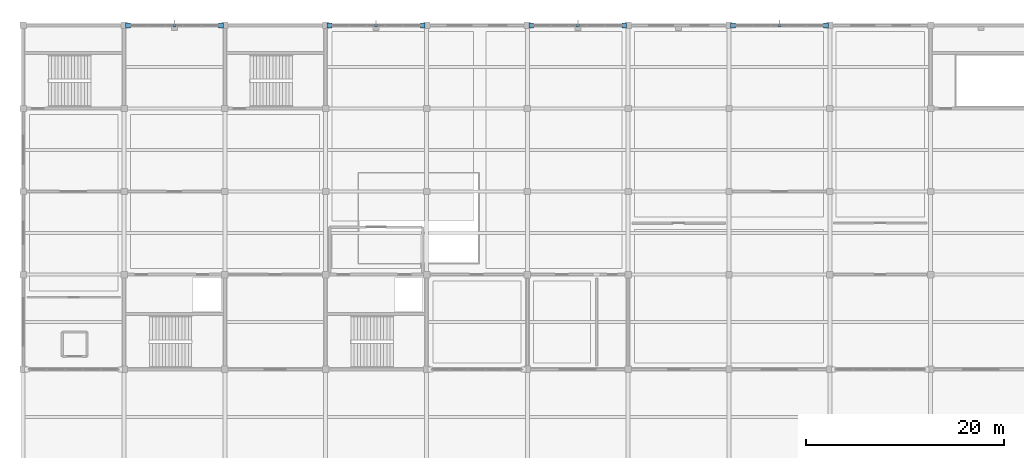
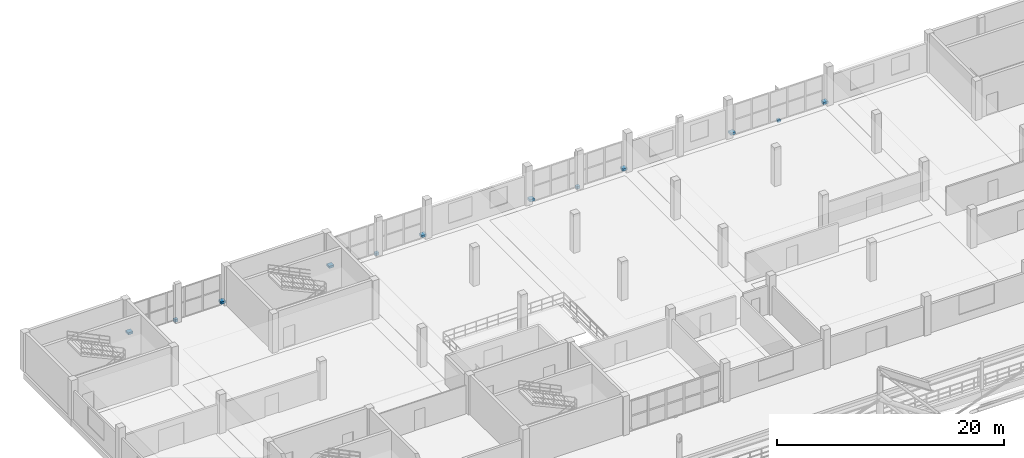
# One storey, part 129 of 135: 12 discrete accessories.
"""IFC4 building model written with IfcOpenShell, lengths in metres."""

from ifc_helpers import new_model, si_unit, direction, frame, origin, origin_2d, place, context, subcontext, project, spatial, rectangle, extrude, material, type_object, element, save


model = new_model("IFC4")

# Units and contexts
model_context = context("Model", 3, precision=1e-05, world=origin(), true_north=direction((0.0, 1.0)))
body_context = subcontext(model_context, "Body", "Model", "MODEL_VIEW")
ifc_project = project(units=[si_unit("LENGTHUNIT", "METRE"), si_unit("AREAUNIT", "SQUARE_METRE"), si_unit("VOLUMEUNIT", "CUBIC_METRE"), si_unit("PLANEANGLEUNIT", "RADIAN"), si_unit("MASSUNIT", "GRAM", prefix="KILO")], contexts=[model_context])

# Site, building, storey
site_placement = place(None, origin())
site = spatial("IfcSite", under=ifc_project, at=site_placement, CompositionType="ELEMENT")
building_placement = place(site_placement, origin())
building = spatial("IfcBuilding", under=site, at=building_placement, Name="Brelvane Convention Centre", CompositionType="ELEMENT")
storey_placement = place(building_placement, frame((0.0, 0.0, 15.0)))
storey = spatial("IfcBuildingStorey", under=building, at=storey_placement, Name="L03", CompositionType="ELEMENT", Elevation=15.0)

# Discrete accessories
ifc_material = material(Name="Steel E350 (350 MPa)", Category="steel")
discrete_accessory_type = type_object("IfcDiscreteAccessoryType", Name="Facade Outrigger Bracket BRK-02", PredefinedType="BRACKET", material=ifc_material)
for number, where, z_axis, x_axis, name in (
    (1, (10.590087890625, 144.0, 0.22998046875), (0.0, 0.0, 1.0), (1.0, 0.0, 0.0), "Curtain Wall Anchor Bracket L03-V4N-02-L"),
    (2, (20.010009765625, 144.0, 0.22998046875), (0.0, 0.0, 1.0), (1.0, 0.0, 0.0), "Curtain Wall Anchor Bracket L03-V4N-02-R"),
):
    element("IfcDiscreteAccessory", number, at=place(storey_placement, frame(where, z_axis=z_axis, x_axis=x_axis)), inside=storey, type_object=discrete_accessory_type, Name=name, PredefinedType="BRACKET", context=body_context, shape_type="SweptSolid", body=[
        extrude(rectangle(XDim=0.47998046875, YDim=0.47998046875, at=origin_2d()), origin(), (0.0, 0.0, 1.0), 0.239990234375),
    ])
discrete_accessory_1_placement = place(storey_placement, frame((15.300048828125, 144.0, -0.14013671875), z_axis=(0.0, 0.0, 1.0), x_axis=(1.0, 0.0, 0.0)))
element("IfcDiscreteAccessory", 3, at=discrete_accessory_1_placement, inside=storey, type_object=discrete_accessory_type, Name="Curtain Wall Anchor Bracket L03-V4N-02-B", PredefinedType="BRACKET", context=body_context, shape_type="SweptSolid", body=[
    extrude(rectangle(XDim=0.320068359375, YDim=0.320068359375, at=origin_2d()), origin(), (0.0, 0.0, 1.0), 0.280029296875),
])
for number, where, z_axis, x_axis, name in (
    (4, (30.989990234375, 144.0, 0.22998046875), (0.0, 0.0, 1.0), (1.0, 0.0, 0.0), "Curtain Wall Anchor Bracket L03-V4N-04-L"),
    (5, (40.409912109375, 144.0, 0.22998046875), (0.0, 0.0, 1.0), (1.0, 0.0, 0.0), "Curtain Wall Anchor Bracket L03-V4N-04-R"),
):
    element("IfcDiscreteAccessory", number, at=place(storey_placement, frame(where, z_axis=z_axis, x_axis=x_axis)), inside=storey, type_object=discrete_accessory_type, Name=name, PredefinedType="BRACKET", context=body_context, shape_type="SweptSolid", body=[
        extrude(rectangle(XDim=0.47998046875, YDim=0.47998046875, at=origin_2d()), origin(), (0.0, 0.0, 1.0), 0.239990234375),
    ])
discrete_accessory_2_placement = place(storey_placement, frame((35.699951171875, 144.0, -0.14013671875), z_axis=(0.0, 0.0, 1.0), x_axis=(1.0, 0.0, 0.0)))
element("IfcDiscreteAccessory", 6, at=discrete_accessory_2_placement, inside=storey, type_object=discrete_accessory_type, Name="Curtain Wall Anchor Bracket L03-V4N-04-B", PredefinedType="BRACKET", context=body_context, shape_type="SweptSolid", body=[
    extrude(rectangle(XDim=0.320068359375, YDim=0.320068359375, at=origin_2d()), origin(), (0.0, 0.0, 1.0), 0.280029296875),
])
for number, where, z_axis, x_axis, name in (
    (7, (51.389892578125, 144.0, 0.22998046875), (0.0, 0.0, 1.0), (1.0, 0.0, 0.0), "Curtain Wall Anchor Bracket L03-V4N-06-L"),
    (8, (60.81005859375, 144.0, 0.22998046875), (0.0, 0.0, 1.0), (1.0, 0.0, 0.0), "Curtain Wall Anchor Bracket L03-V4N-06-R"),
):
    element("IfcDiscreteAccessory", number, at=place(storey_placement, frame(where, z_axis=z_axis, x_axis=x_axis)), inside=storey, type_object=discrete_accessory_type, Name=name, PredefinedType="BRACKET", context=body_context, shape_type="SweptSolid", body=[
        extrude(rectangle(XDim=0.47998046875, YDim=0.47998046875, at=origin_2d()), origin(), (0.0, 0.0, 1.0), 0.239990234375),
    ])
discrete_accessory_3_placement = place(storey_placement, frame((56.10009765625, 144.0, -0.14013671875), z_axis=(0.0, 0.0, 1.0), x_axis=(1.0, 0.0, 0.0)))
element("IfcDiscreteAccessory", 9, at=discrete_accessory_3_placement, inside=storey, type_object=discrete_accessory_type, Name="Curtain Wall Anchor Bracket L03-V4N-06-B", PredefinedType="BRACKET", context=body_context, shape_type="SweptSolid", body=[
    extrude(rectangle(XDim=0.320068359375, YDim=0.320068359375, at=origin_2d()), origin(), (0.0, 0.0, 1.0), 0.280029296875),
])
for number, where, z_axis, x_axis, name in (
    (10, (71.7900390625, 144.0, 0.22998046875), (0.0, 0.0, 1.0), (1.0, 0.0, 0.0), "Curtain Wall Anchor Bracket L03-V4N-08-L"),
    (11, (81.2099609375, 144.0, 0.22998046875), (0.0, 0.0, 1.0), (1.0, 0.0, 0.0), "Curtain Wall Anchor Bracket L03-V4N-08-R"),
):
    element("IfcDiscreteAccessory", number, at=place(storey_placement, frame(where, z_axis=z_axis, x_axis=x_axis)), inside=storey, type_object=discrete_accessory_type, Name=name, PredefinedType="BRACKET", context=body_context, shape_type="SweptSolid", body=[
        extrude(rectangle(XDim=0.47998046875, YDim=0.47998046875, at=origin_2d()), origin(), (0.0, 0.0, 1.0), 0.239990234375),
    ])
discrete_accessory_4_placement = place(storey_placement, frame((76.5, 144.0, -0.14013671875), z_axis=(0.0, 0.0, 1.0), x_axis=(1.0, 0.0, 0.0)))
element("IfcDiscreteAccessory", 12, at=discrete_accessory_4_placement, inside=storey, type_object=discrete_accessory_type, Name="Curtain Wall Anchor Bracket L03-V4N-08-B", PredefinedType="BRACKET", context=body_context, shape_type="SweptSolid", body=[
    extrude(rectangle(XDim=0.320068359375, YDim=0.320068359375, at=origin_2d()), origin(), (0.0, 0.0, 1.0), 0.280029296875),
])

save(model, "model.ifc")
